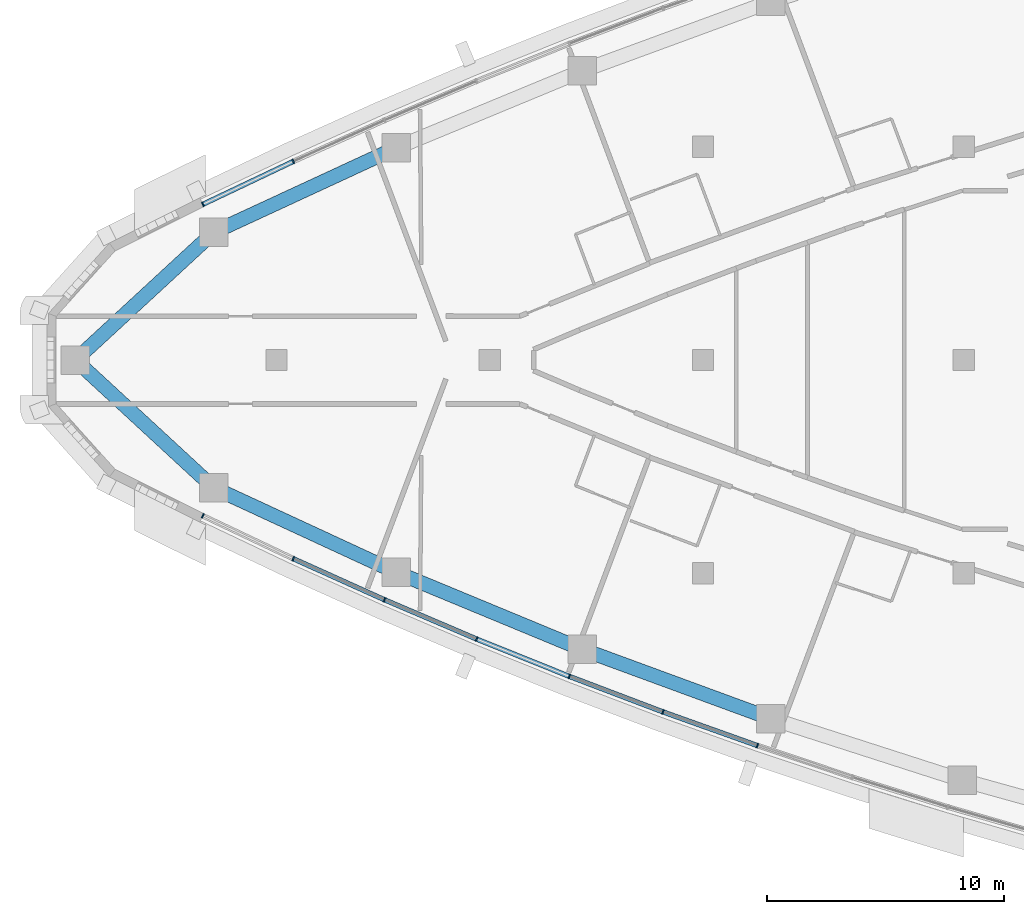
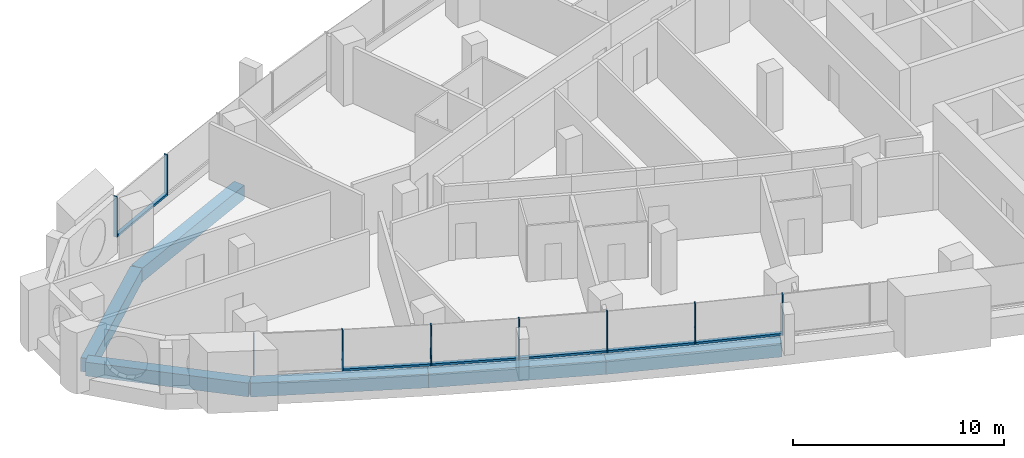
# One storey, part 2 of 15: 15 members, 6 beams, 4 elements without a shape of their own.
"""IFC4 building model written with IfcOpenShell, lengths in metres."""

from ifc_helpers import new_model, si_unit, direction, frame, origin, origin_2d, place, context, subcontext, project, spatial, rectangle, extrude, material, layer, layer_set, material_profile, profile_set, type_object, element, aggregate, save


model = new_model("IFC4")

# Units and contexts
model_context = context("Model", 3, precision=1e-05, world=origin(), true_north=direction((0.0, 1.0)))
body_context = subcontext(model_context, "Body", "Model", "MODEL_VIEW")
ifc_project = project(units=[si_unit("LENGTHUNIT", "METRE"), si_unit("AREAUNIT", "SQUARE_METRE"), si_unit("VOLUMEUNIT", "CUBIC_METRE"), si_unit("PLANEANGLEUNIT", "RADIAN"), si_unit("MASSUNIT", "GRAM", prefix="KILO")], contexts=[model_context])

# Site, building, storey
site_placement = place(None, origin())
site = spatial("IfcSite", under=ifc_project, at=site_placement, CompositionType="ELEMENT")
building_placement = place(site_placement, origin())
building = spatial("IfcBuilding", under=site, at=building_placement, Name="Ostrand Prow Hotel Tower", CompositionType="ELEMENT")
storey_placement = place(building_placement, frame((0.0, 0.0, 242.10009765625)))
storey = spatial("IfcBuildingStorey", under=building, at=storey_placement, Name="L61", CompositionType="ELEMENT", Elevation=242.10009765625)

# Beams
ifc_material_1 = material(Name="Concrete C50/60", Category="concrete")
ifc_material_profile_1 = material_profile(ifc_material_1, rectangle(XDim=0.60009765625, YDim=0.800048828125, at=origin_2d()), Name="RC 600x800")
ifc_profile_set_1 = profile_set([ifc_material_profile_1], Name="Concrete C50/60")
beam_type = type_object("IfcBeamType", Name="Edge beam 600x800 C50/60", PredefinedType="SPANDREL", material=ifc_profile_set_1)
beam_1_placement = place(storey_placement, frame((7.513916015625, 0.0, -0.7001953125), z_axis=(0.734806976358, -0.678276276672, 0.0), x_axis=(0.678276276672, 0.734806976358, 0.0)))
element("IfcBeam", 1, at=beam_1_placement, inside=storey, type_object=beam_type, Name="Edge beam P-S1", PredefinedType="SPANDREL", context=body_context, shape_type="SweptSolid", body=[
    extrude(rectangle(XDim=0.60009765625, YDim=0.800048828125, at=origin_2d()), origin(), (0.0, 0.0, 1.0), 7.95068359375),
])
beam_2_placement = place(storey_placement, frame((13.356201171875, -5.392822265625, -0.7001953125), z_axis=(0.907521936352, -0.420004684544, 0.0), x_axis=(0.420004684544, 0.907521936352, 0.0)))
element("IfcBeam", 2, at=beam_2_placement, inside=storey, type_object=beam_type, Name="Edge beam S1-S2", PredefinedType="SPANDREL", context=body_context, shape_type="SweptSolid", body=[
    extrude(rectangle(XDim=0.60009765625, YDim=0.800048828125, at=origin_2d()), origin(), (0.0, 0.0, 1.0), 8.4873046875),
])
for number, where, z_axis, x_axis, name in (
    (3, (21.05859375, -8.95751953125, -0.7001953125), (0.923890977326, -0.38265580097, 0.0), (0.38265580097, 0.923890977326, 0.0), "Edge beam S2-S3"),
    (4, (28.900146484375, -12.205322265625, -0.7001953125), (0.938684959139, -0.344776083113, 0.0), (0.344776083113, 0.938684959139, 0.0), "Edge beam S3-S4"),
):
    element("IfcBeam", number, at=place(storey_placement, frame(where, z_axis=z_axis, x_axis=x_axis)), inside=storey, type_object=beam_type, Name=name, PredefinedType="SPANDREL", context=body_context, shape_type="SweptSolid", body=[
        extrude(rectangle(XDim=0.60009765625, YDim=0.800048828125, at=origin_2d()), origin(), (0.0, 0.0, 1.0), 8.487548828125),
    ])
beam_3_placement = place(storey_placement, frame((21.05859375, 8.95751953125, -0.7001953125), z_axis=(-0.907521936352, -0.420004684544, 0.0), x_axis=(0.420004684544, -0.907521936352, 0.0)))
element("IfcBeam", 5, at=beam_3_placement, inside=storey, type_object=beam_type, Name="Edge beam N5-N6", PredefinedType="SPANDREL", context=body_context, shape_type="SweptSolid", body=[
    extrude(rectangle(XDim=0.60009765625, YDim=0.800048828125, at=origin_2d()), origin(), (0.0, 0.0, 1.0), 8.4873046875),
])
beam_4_placement = place(storey_placement, frame((13.356201171875, 5.392822265625, -0.7001953125), z_axis=(-0.734806976358, -0.678276276672, 0.0), x_axis=(0.678276276672, -0.734806976358, 0.0)))
element("IfcBeam", 6, at=beam_4_placement, inside=storey, type_object=beam_type, Name="Edge beam N6-P", PredefinedType="SPANDREL", context=body_context, shape_type="SweptSolid", body=[
    extrude(rectangle(XDim=0.60009765625, YDim=0.800048828125, at=origin_2d()), origin(), (0.0, 0.0, 1.0), 7.95068359375),
])

# Curtain wall, members
ifc_material_2 = material(Name="Insulated glass in bronze anodised frame", Category="glass")
ifc_layer = layer(ifc_material_2, 0.199951171875)
ifc_layer_set = layer_set([ifc_layer], Name="Insulated glass in bronze anodised frame")
curtain_wall_type = type_object("IfcCurtainWallType", Name="Strip curtain wall, fritted glass over bronze spandrel", PredefinedType="NOTDEFINED", material=ifc_layer_set)
curtain_wall_1_placement = place(storey_placement, origin())
curtain_wall_1 = element("IfcCurtainWall", 7, at=curtain_wall_1_placement, inside=storey, type_object=curtain_wall_type, Name="CW1 run CWS1", PredefinedType="NOTDEFINED")
ifc_material_3 = material(Name="Bronze anodised aluminium", Category="aluminium")
ifc_material_profile_2 = material_profile(ifc_material_3, rectangle(XDim=0.199951171875, YDim=0.06005859375, at=origin_2d()), Name="Mullion 60x200 bronze anodised aluminium")
ifc_profile_set_2 = profile_set([ifc_material_profile_2], Name="Bronze anodised aluminium")
member_type_1 = type_object("IfcMemberType", Name="Mullion 60x200 bronze anodised aluminium", PredefinedType="MULLION", material=ifc_profile_set_2)
member_1_placement = place(storey_placement, frame((12.893310546875, -6.57080078125, 0.89990234375), z_axis=(0.0, 0.0, 1.0), x_axis=(0.428861030937, 0.903370475577, 0.0)))
member_1 = element("IfcMember", 8, at=member_1_placement, type_object=member_type_1, Name="CW1 mullion 1", PredefinedType="MULLION", context=body_context, shape_type="SweptSolid", body=[
    extrude(rectangle(XDim=0.199951171875, YDim=0.06005859375, at=origin_2d()), origin(), (0.0, 0.0, 1.0), 2.35009765625),
])
member_2_placement = place(storey_placement, frame((16.708740234375, -8.382080078125, 0.89990234375), z_axis=(0.0, 0.0, 1.0), x_axis=(0.41058199404, 0.911823681514, 0.0)))
member_2 = element("IfcMember", 9, at=member_2_placement, type_object=member_type_1, Name="CW1 mullion 2", PredefinedType="MULLION", context=body_context, shape_type="SweptSolid", body=[
    extrude(rectangle(XDim=0.199951171875, YDim=0.06005859375, at=origin_2d()), origin(), (0.0, 0.0, 1.0), 2.35009765625),
])
member_3_placement = place(storey_placement, frame((20.56005859375, -10.116455078125, 0.89990234375), z_axis=(0.0, 0.0, 1.0), x_axis=(0.41058199404, 0.911823681514, 0.0)))
member_3 = element("IfcMember", 10, at=member_3_placement, type_object=member_type_1, Name="CW1 mullion 3", PredefinedType="MULLION", context=body_context, shape_type="SweptSolid", body=[
    extrude(rectangle(XDim=0.199951171875, YDim=0.06005859375, at=origin_2d()), origin(), (0.0, 0.0, 1.0), 2.35009765625),
])

curtain_wall_2_placement = place(storey_placement, origin())
curtain_wall_2 = element("IfcCurtainWall", 11, at=curtain_wall_2_placement, inside=storey, type_object=curtain_wall_type, Name="CW1 run CWS2", PredefinedType="NOTDEFINED")
member_4_placement = place(storey_placement, frame((24.445556640625, -11.772705078125, 0.89990234375), z_axis=(0.0, 0.0, 1.0), x_axis=(0.373533449004, 0.927616710972, 0.0)))
member_4 = element("IfcMember", 12, at=member_4_placement, type_object=member_type_1, Name="CW1 mullion 2", PredefinedType="MULLION", context=body_context, shape_type="SweptSolid", body=[
    extrude(rectangle(XDim=0.199951171875, YDim=0.06005859375, at=origin_2d()), origin(), (0.0, 0.0, 1.0), 2.35009765625),
])
member_5_placement = place(storey_placement, frame((28.363525390625, -13.350341796875, 0.89990234375), z_axis=(0.0, 0.0, 1.0), x_axis=(0.373533449004, 0.927616710972, 0.0)))
member_5 = element("IfcMember", 13, at=member_5_placement, type_object=member_type_1, Name="CW1 mullion 3", PredefinedType="MULLION", context=body_context, shape_type="SweptSolid", body=[
    extrude(rectangle(XDim=0.199951171875, YDim=0.06005859375, at=origin_2d()), origin(), (0.0, 0.0, 1.0), 2.35009765625),
])

curtain_wall_3_placement = place(storey_placement, origin())
curtain_wall_3 = element("IfcCurtainWall", 14, at=curtain_wall_3_placement, inside=storey, type_object=curtain_wall_type, Name="CW1 run CWS3", PredefinedType="NOTDEFINED")
member_6_placement = place(storey_placement, frame((32.3125, -14.848876953125, 0.89990234375), z_axis=(0.0, 0.0, 1.0), x_axis=(0.335877383374, 0.941905718922, 0.0)))
member_6 = element("IfcMember", 15, at=member_6_placement, type_object=member_type_1, Name="CW1 mullion 2", PredefinedType="MULLION", context=body_context, shape_type="SweptSolid", body=[
    extrude(rectangle(XDim=0.199951171875, YDim=0.06005859375, at=origin_2d()), origin(), (0.0, 0.0, 1.0), 2.35009765625),
])
member_7_placement = place(storey_placement, frame((36.291015625, -16.267578125, 0.89990234375), z_axis=(0.0, 0.0, 1.0), x_axis=(0.335877383374, 0.941905718922, 0.0)))
member_7 = element("IfcMember", 16, at=member_7_placement, type_object=member_type_1, Name="CW1 mullion 3", PredefinedType="MULLION", context=body_context, shape_type="SweptSolid", body=[
    extrude(rectangle(XDim=0.199951171875, YDim=0.06005859375, at=origin_2d()), origin(), (0.0, 0.0, 1.0), 2.35009765625),
])

curtain_wall_4_placement = place(storey_placement, origin())
curtain_wall_4 = element("IfcCurtainWall", 17, at=curtain_wall_4_placement, inside=storey, type_object=curtain_wall_type, Name="CW1 run CWN5", PredefinedType="NOTDEFINED")
member_8_placement = place(storey_placement, frame((16.708740234375, 8.382080078125, 0.89990234375), z_axis=(0.0, 0.0, 1.0), x_axis=(0.428861030937, -0.903370475577, 0.0)))
member_8 = element("IfcMember", 18, at=member_8_placement, type_object=member_type_1, Name="CW1 mullion 2", PredefinedType="MULLION", context=body_context, shape_type="SweptSolid", body=[
    extrude(rectangle(XDim=0.199951171875, YDim=0.06005859375, at=origin_2d()), origin(), (0.0, 0.0, 1.0), 2.35009765625),
])
member_9_placement = place(storey_placement, frame((12.893310546875, 6.57080078125, 0.89990234375), z_axis=(0.0, 0.0, 1.0), x_axis=(0.428861030937, -0.903370475577, 0.0)))
member_9 = element("IfcMember", 19, at=member_9_placement, type_object=member_type_1, Name="CW1 mullion 3", PredefinedType="MULLION", context=body_context, shape_type="SweptSolid", body=[
    extrude(rectangle(XDim=0.199951171875, YDim=0.06005859375, at=origin_2d()), origin(), (0.0, 0.0, 1.0), 2.35009765625),
])

# Member
ifc_material_4 = material(Name="Bronze anodised aluminium", Category="aluminium")
ifc_material_profile_3 = material_profile(ifc_material_4, rectangle(XDim=0.199951171875, YDim=0.1201171875, at=origin_2d()), Name="Transom 120x200 bronze anodised aluminium")
ifc_profile_set_3 = profile_set([ifc_material_profile_3], Name="Bronze anodised aluminium")
member_type_2 = type_object("IfcMemberType", Name="Transom 120x200 bronze anodised aluminium", PredefinedType="USERDEFINED", material=ifc_profile_set_3)
member_10_placement = place(storey_placement, frame((16.736083984375, -8.39453125, 0.9599609375), z_axis=(0.911832617051, -0.410562149353, 0.0), x_axis=(0.410562149353, 0.911832617051, 0.0)))
member_10 = element("IfcMember", 20, at=member_10_placement, type_object=member_type_2, Name="CW1 transom 2.1", ObjectType="TRANSOM", PredefinedType="USERDEFINED", context=body_context, shape_type="SweptSolid", body=[
    extrude(rectangle(XDim=0.199951171875, YDim=0.1201171875, at=origin_2d()), origin(), (0.0, 0.0, 1.0), 4.163818359375),
])

aggregate(curtain_wall_1, [member_1, member_2, member_3, member_10])

member_11_placement = place(storey_placement, frame((20.587646484375, -10.128173828125, 0.9599609375), z_axis=(0.919904541337, -0.392142365509, 0.0), x_axis=(0.392142365509, 0.919904541337, 0.0)))
member_11 = element("IfcMember", 21, at=member_11_placement, type_object=member_type_2, Name="CW1 transom 1.1", ObjectType="TRANSOM", PredefinedType="USERDEFINED", context=body_context, shape_type="SweptSolid", body=[
    extrude(rectangle(XDim=0.199951171875, YDim=0.1201171875, at=origin_2d()), origin(), (0.0, 0.0, 1.0), 4.163818359375),
])

member_12_placement = place(storey_placement, frame((24.473388671875, -11.783935546875, 0.9599609375), z_axis=(0.927625049372, -0.373512741119, 0.0), x_axis=(0.373512741119, 0.927625049372, 0.0)))
member_12 = element("IfcMember", 22, at=member_12_placement, type_object=member_type_2, Name="CW1 transom 2.1", ObjectType="TRANSOM", PredefinedType="USERDEFINED", context=body_context, shape_type="SweptSolid", body=[
    extrude(rectangle(XDim=0.199951171875, YDim=0.1201171875, at=origin_2d()), origin(), (0.0, 0.0, 1.0), 4.16357421875),
])

aggregate(curtain_wall_2, [member_4, member_5, member_11, member_12])

member_13_placement = place(storey_placement, frame((28.3916015625, -13.361083984375, 0.9599609375), z_axis=(0.934960644813, -0.354751451936, 0.0), x_axis=(0.354751451936, 0.934960644813, 0.0)))
member_13 = element("IfcMember", 23, at=member_13_placement, type_object=member_type_2, Name="CW1 transom 1.1", ObjectType="TRANSOM", PredefinedType="USERDEFINED", context=body_context, shape_type="SweptSolid", body=[
    extrude(rectangle(XDim=0.199951171875, YDim=0.1201171875, at=origin_2d()), origin(), (0.0, 0.0, 1.0), 4.16357421875),
])

member_14_placement = place(storey_placement, frame((32.3408203125, -14.85888671875, 0.9599609375), z_axis=(0.941911594104, -0.335860907061, 0.0), x_axis=(0.335860907061, 0.941911594104, 0.0)))
member_14 = element("IfcMember", 24, at=member_14_placement, type_object=member_type_2, Name="CW1 transom 2.1", ObjectType="TRANSOM", PredefinedType="USERDEFINED", context=body_context, shape_type="SweptSolid", body=[
    extrude(rectangle(XDim=0.199951171875, YDim=0.1201171875, at=origin_2d()), origin(), (0.0, 0.0, 1.0), 4.163818359375),
])

aggregate(curtain_wall_3, [member_6, member_7, member_13, member_14])

member_15_placement = place(storey_placement, frame((16.681640625, 8.369384765625, 0.9599609375), z_axis=(-0.903364977925, -0.428872611226, 0.0), x_axis=(0.428872611226, -0.903364977925, 0.0)))
member_15 = element("IfcMember", 25, at=member_15_placement, type_object=member_type_2, Name="CW1 transom 2.1", ObjectType="TRANSOM", PredefinedType="USERDEFINED", context=body_context, shape_type="SweptSolid", body=[
    extrude(rectangle(XDim=0.199951171875, YDim=0.1201171875, at=origin_2d()), origin(), (0.0, 0.0, 1.0), 4.16357421875),
])

aggregate(curtain_wall_4, [member_8, member_9, member_15])

save(model, "model.ifc")
